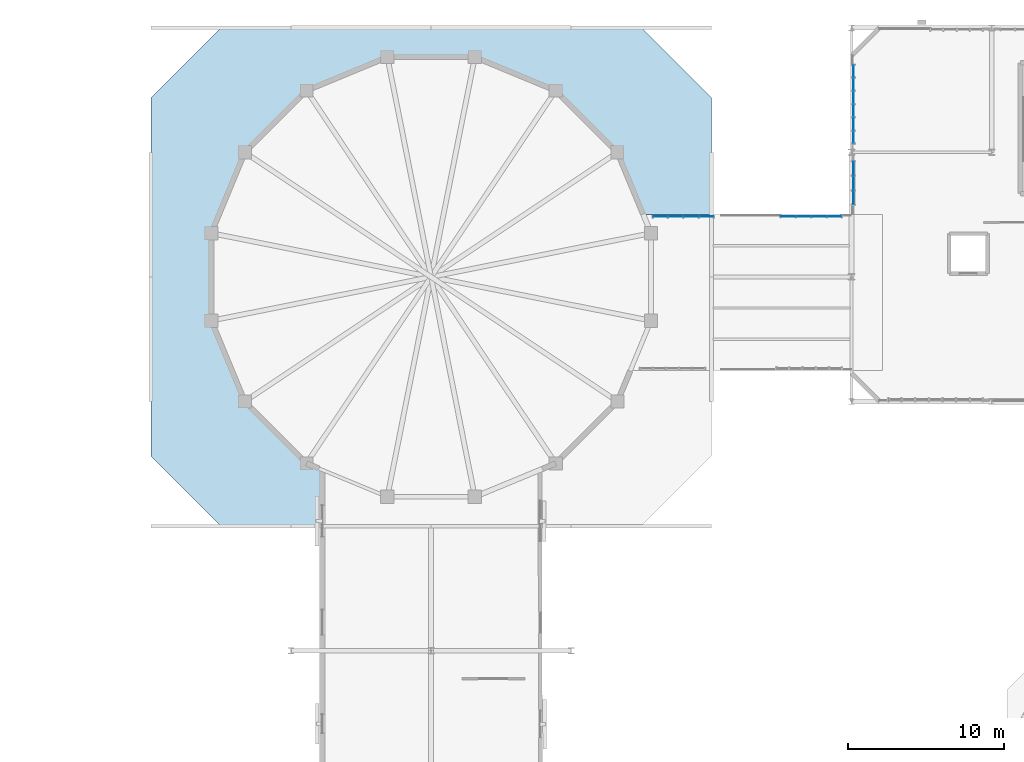
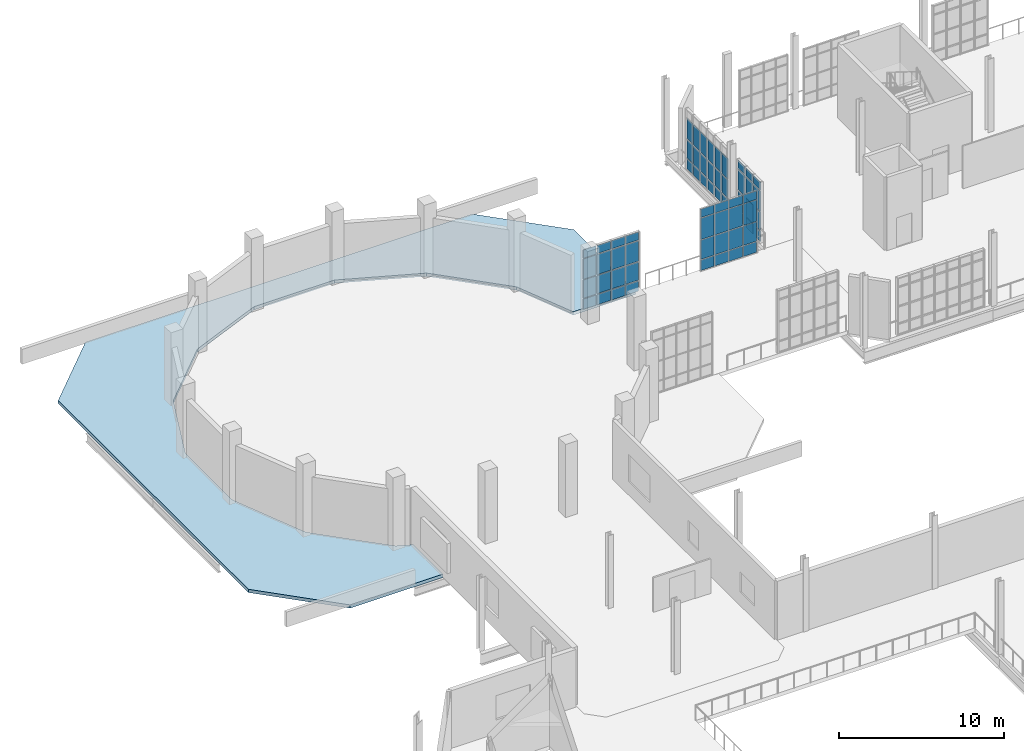
# One storey, part 112 of 142: 62 plates, 1 slab, 4 elements without a shape of their own.
"""IFC4 building model written with IfcOpenShell, lengths in metres."""

from ifc_helpers import new_model, si_unit, direction, frame, origin, origin_2d, place, context, subcontext, project, spatial, polyline, rectangle, outline, extrude, material, layer, layer_set, type_object, element, aggregate, save


model = new_model("IFC4")

# Units and contexts
model_context = context("Model", 3, precision=1e-05, world=origin(), true_north=direction((0.0, 1.0)))
body_context = subcontext(model_context, "Body", "Model", "MODEL_VIEW")
ifc_project = project(units=[si_unit("LENGTHUNIT", "METRE"), si_unit("AREAUNIT", "SQUARE_METRE"), si_unit("VOLUMEUNIT", "CUBIC_METRE"), si_unit("PLANEANGLEUNIT", "RADIAN"), si_unit("MASSUNIT", "GRAM", prefix="KILO"), si_unit("THERMODYNAMICTEMPERATUREUNIT", "KELVIN"), si_unit("POWERUNIT", "WATT")], contexts=[model_context])

# Site, building, storey
site_placement = place(None, origin())
site = spatial("IfcSite", under=ifc_project, at=site_placement, CompositionType="ELEMENT")
building_placement = place(site_placement, origin())
building = spatial("IfcBuilding", under=site, at=building_placement, Name="Zelmaris Science Centre", CompositionType="ELEMENT")
storey_placement = place(building_placement, frame((0.0, 0.0, 5.39990234375)))
storey = spatial("IfcBuildingStorey", under=building, at=storey_placement, Name="L01", CompositionType="ELEMENT", Elevation=5.39990234375)

# Curtain wall, plates
ifc_material_1 = material(Name="Anodised architectural aluminium 6063-T6", Category="aluminium")
ifc_layer_1 = layer(ifc_material_1, 0.18994140625, Name="Anodised architectural aluminium 6063-T6")
ifc_layer_set_1 = layer_set([ifc_layer_1], Name="Anodised architectural aluminium 6063-T6")
curtain_wall_type_1 = type_object("IfcCurtainWallType", Name="Curtain Wall CW-01", PredefinedType="USERDEFINED", material=ifc_layer_set_1)
curtain_wall_1_placement = place(storey_placement, origin())
curtain_wall_1 = element("IfcCurtainWall", 1, at=curtain_wall_1_placement, inside=storey, type_object=curtain_wall_type_1, Name="L01 Unitised curtain wall 129", ObjectType="GLAZED CURTAIN WALL", PredefinedType="USERDEFINED")
ifc_material_2 = material(Name="Laminated hurricane-rated low-E insulated glazing", Category="glass")
ifc_layer_2 = layer(ifc_material_2, 0.031982421875, Name="Laminated hurricane-rated low-E insulated glazing")
ifc_layer_set_2 = layer_set([ifc_layer_2], Name="Laminated hurricane-rated low-E insulated glazing")
plate_type_1 = type_object("IfcPlateType", Name="Curtain Glazing Panel CWP-1 32mm", PredefinedType="CURTAIN_PANEL", material=ifc_layer_set_2)
plate_1_placement = place(storey_placement, frame((54.1201171875, 77.0947265625, 0.05712890625), z_axis=(0.0, 0.0, 1.0), x_axis=(0.0, 1.0, 0.0)))
plate_1 = element("IfcPlate", 2, at=plate_1_placement, type_object=plate_type_1, Name="CW-01 panel 1.1", PredefinedType="CURTAIN_PANEL", context=body_context, shape_type="SweptSolid", body=[
    extrude(rectangle(XDim=0.84521484375, YDim=0.031982421875, at=origin_2d()), origin(), (0.0, 0.0, 1.0), 0.741943359375),
])
plate_2_placement = place(storey_placement, frame((54.1201171875, 77.0947265625, 0.87109375), z_axis=(0.0, 0.0, 1.0), x_axis=(0.0, 1.0, 0.0)))
plate_2 = element("IfcPlate", 3, at=plate_2_placement, type_object=plate_type_1, Name="CW-01 panel 1.2", PredefinedType="CURTAIN_PANEL", context=body_context, shape_type="SweptSolid", body=[
    extrude(rectangle(XDim=0.84521484375, YDim=0.031982421875, at=origin_2d()), origin(), (0.0, 0.0, 1.0), 1.33837890625),
])
plate_3_placement = place(storey_placement, frame((54.1201171875, 77.0947265625, 2.28173828125), z_axis=(0.0, 0.0, 1.0), x_axis=(0.0, 1.0, 0.0)))
plate_3 = element("IfcPlate", 4, at=plate_3_placement, type_object=plate_type_1, Name="CW-01 panel 1.3", PredefinedType="CURTAIN_PANEL", context=body_context, shape_type="SweptSolid", body=[
    extrude(rectangle(XDim=0.84521484375, YDim=0.031982421875, at=origin_2d()), origin(), (0.0, 0.0, 1.0), 1.488525390625),
])
plate_4_placement = place(storey_placement, frame((54.1201171875, 77.0947265625, 3.84228515625), z_axis=(0.0, 0.0, 1.0), x_axis=(0.0, 1.0, 0.0)))
plate_4 = element("IfcPlate", 5, at=plate_4_placement, type_object=plate_type_1, Name="CW-01 panel 1.4", PredefinedType="CURTAIN_PANEL", context=body_context, shape_type="SweptSolid", body=[
    extrude(rectangle(XDim=0.84521484375, YDim=0.031982421875, at=origin_2d()), origin(), (0.0, 0.0, 1.0), 0.592041015625),
])
plate_5_placement = place(storey_placement, frame((54.1201171875, 78.030029296875, 0.05712890625), z_axis=(0.0, 0.0, 1.0), x_axis=(0.0, 1.0, 0.0)))
plate_5 = element("IfcPlate", 6, at=plate_5_placement, type_object=plate_type_1, Name="CW-01 panel 2.1", PredefinedType="CURTAIN_PANEL", context=body_context, shape_type="SweptSolid", body=[
    extrude(rectangle(XDim=0.88134765625, YDim=0.031982421875, at=origin_2d()), origin(), (0.0, 0.0, 1.0), 0.741943359375),
])
plate_6_placement = place(storey_placement, frame((54.1201171875, 78.030029296875, 0.87109375), z_axis=(0.0, 0.0, 1.0), x_axis=(0.0, 1.0, 0.0)))
plate_6 = element("IfcPlate", 7, at=plate_6_placement, type_object=plate_type_1, Name="CW-01 panel 2.2", PredefinedType="CURTAIN_PANEL", context=body_context, shape_type="SweptSolid", body=[
    extrude(rectangle(XDim=0.88134765625, YDim=0.031982421875, at=origin_2d()), origin(), (0.0, 0.0, 1.0), 1.33837890625),
])
plate_7_placement = place(storey_placement, frame((54.1201171875, 78.030029296875, 2.28173828125), z_axis=(0.0, 0.0, 1.0), x_axis=(0.0, 1.0, 0.0)))
plate_7 = element("IfcPlate", 8, at=plate_7_placement, type_object=plate_type_1, Name="CW-01 panel 2.3", PredefinedType="CURTAIN_PANEL", context=body_context, shape_type="SweptSolid", body=[
    extrude(rectangle(XDim=0.88134765625, YDim=0.031982421875, at=origin_2d()), origin(), (0.0, 0.0, 1.0), 1.488525390625),
])
plate_8_placement = place(storey_placement, frame((54.1201171875, 78.030029296875, 3.84228515625), z_axis=(0.0, 0.0, 1.0), x_axis=(0.0, 1.0, 0.0)))
plate_8 = element("IfcPlate", 9, at=plate_8_placement, type_object=plate_type_1, Name="CW-01 panel 2.4", PredefinedType="CURTAIN_PANEL", context=body_context, shape_type="SweptSolid", body=[
    extrude(rectangle(XDim=0.88134765625, YDim=0.031982421875, at=origin_2d()), origin(), (0.0, 0.0, 1.0), 0.592041015625),
])
plate_9_placement = place(storey_placement, frame((54.1201171875, 78.96533203125, 0.05712890625), z_axis=(0.0, 0.0, 1.0), x_axis=(0.0, 1.0, 0.0)))
plate_9 = element("IfcPlate", 10, at=plate_9_placement, type_object=plate_type_1, Name="CW-01 panel 3.1", PredefinedType="CURTAIN_PANEL", context=body_context, shape_type="SweptSolid", body=[
    extrude(rectangle(XDim=0.84521484375, YDim=0.031982421875, at=origin_2d()), origin(), (0.0, 0.0, 1.0), 0.741943359375),
])
plate_10_placement = place(storey_placement, frame((54.1201171875, 78.96533203125, 0.87109375), z_axis=(0.0, 0.0, 1.0), x_axis=(0.0, 1.0, 0.0)))
plate_10 = element("IfcPlate", 11, at=plate_10_placement, type_object=plate_type_1, Name="CW-01 panel 3.2", PredefinedType="CURTAIN_PANEL", context=body_context, shape_type="SweptSolid", body=[
    extrude(rectangle(XDim=0.84521484375, YDim=0.031982421875, at=origin_2d()), origin(), (0.0, 0.0, 1.0), 1.33837890625),
])
plate_11_placement = place(storey_placement, frame((54.1201171875, 78.96533203125, 2.28173828125), z_axis=(0.0, 0.0, 1.0), x_axis=(0.0, 1.0, 0.0)))
plate_11 = element("IfcPlate", 12, at=plate_11_placement, type_object=plate_type_1, Name="CW-01 panel 3.3", PredefinedType="CURTAIN_PANEL", context=body_context, shape_type="SweptSolid", body=[
    extrude(rectangle(XDim=0.84521484375, YDim=0.031982421875, at=origin_2d()), origin(), (0.0, 0.0, 1.0), 1.488525390625),
])
plate_12_placement = place(storey_placement, frame((54.1201171875, 78.96533203125, 3.84228515625), z_axis=(0.0, 0.0, 1.0), x_axis=(0.0, 1.0, 0.0)))
plate_12 = element("IfcPlate", 13, at=plate_12_placement, type_object=plate_type_1, Name="CW-01 panel 3.4", PredefinedType="CURTAIN_PANEL", context=body_context, shape_type="SweptSolid", body=[
    extrude(rectangle(XDim=0.84521484375, YDim=0.031982421875, at=origin_2d()), origin(), (0.0, 0.0, 1.0), 0.592041015625),
])
aggregate(curtain_wall_1, [plate_1, plate_2, plate_3, plate_4, plate_5, plate_6, plate_7, plate_8, plate_9, plate_10, plate_11, plate_12])

ifc_layer_3 = layer(ifc_material_1, 0.199951171875, Name="Anodised architectural aluminium 6063-T6")
ifc_layer_set_3 = layer_set([ifc_layer_3], Name="Anodised architectural aluminium 6063-T6")
curtain_wall_type_2 = type_object("IfcCurtainWallType", Name="Curtain Wall CW-02", PredefinedType="USERDEFINED", material=ifc_layer_set_3)
curtain_wall_2_placement = place(storey_placement, origin())
curtain_wall_2 = element("IfcCurtainWall", 14, at=curtain_wall_2_placement, inside=storey, type_object=curtain_wall_type_2, Name="L01 Unitised curtain wall 126", ObjectType="GLAZED CURTAIN WALL", PredefinedType="USERDEFINED")
ifc_layer_4 = layer(ifc_material_2, 0.028076171875, Name="Laminated hurricane-rated low-E insulated glazing")
ifc_layer_set_4 = layer_set([ifc_layer_4], Name="Laminated hurricane-rated low-E insulated glazing")
plate_type_2 = type_object("IfcPlateType", Name="Curtain Glazing Panel CWP-2 28mm", PredefinedType="CURTAIN_PANEL", material=ifc_layer_set_4)
plate_13_placement = place(storey_placement, frame((41.708251953125, 75.88232421875, 0.052001953125), z_axis=(0.0, 0.0, 1.0), x_axis=(0.99999997989, -0.000200551507, 0.0)))
plate_13 = element("IfcPlate", 15, at=plate_13_placement, type_object=plate_type_2, Name="CW-02 panel 1.1", PredefinedType="CURTAIN_PANEL", context=body_context, shape_type="SweptSolid", body=[
    extrude(rectangle(XDim=0.896728515625, YDim=0.028076171875, at=origin_2d()), origin(), (0.0, 0.0, 1.0), 0.74951171875),
])
plate_14_placement = place(storey_placement, frame((41.708251953125, 75.88232421875, 0.86865234375), z_axis=(0.0, 0.0, 1.0), x_axis=(0.99999997989, -0.000200551507, 0.0)))
plate_14 = element("IfcPlate", 16, at=plate_14_placement, type_object=plate_type_2, Name="CW-02 panel 1.2", PredefinedType="CURTAIN_PANEL", context=body_context, shape_type="SweptSolid", body=[
    extrude(rectangle(XDim=0.896728515625, YDim=0.028076171875, at=origin_2d()), origin(), (0.0, 0.0, 1.0), 1.3369140625),
])
plate_15_placement = place(storey_placement, frame((41.708251953125, 75.88232421875, 2.2724609375), z_axis=(0.0, 0.0, 1.0), x_axis=(0.99999997989, -0.000200551507, 0.0)))
plate_15 = element("IfcPlate", 17, at=plate_15_placement, type_object=plate_type_2, Name="CW-02 panel 1.3", PredefinedType="CURTAIN_PANEL", context=body_context, shape_type="SweptSolid", body=[
    extrude(rectangle(XDim=0.896728515625, YDim=0.028076171875, at=origin_2d()), origin(), (0.0, 0.0, 1.0), 1.487060546875),
])
plate_16_placement = place(storey_placement, frame((41.708251953125, 75.88232421875, 3.82666015625), z_axis=(0.0, 0.0, 1.0), x_axis=(0.99999997989, -0.000200551507, 0.0)))
plate_16 = element("IfcPlate", 18, at=plate_16_placement, type_object=plate_type_2, Name="CW-02 panel 1.4", PredefinedType="CURTAIN_PANEL", context=body_context, shape_type="SweptSolid", body=[
    extrude(rectangle(XDim=0.896728515625, YDim=0.028076171875, at=origin_2d()), origin(), (0.0, 0.0, 1.0), 0.599609375),
])
plate_17_placement = place(storey_placement, frame((42.688720703125, 75.882080078125, 0.052001953125), z_axis=(0.0, 0.0, 1.0), x_axis=(0.99999997989, -0.000200551507, 0.0)))
plate_17 = element("IfcPlate", 19, at=plate_17_placement, type_object=plate_type_2, Name="CW-02 panel 2.1", PredefinedType="CURTAIN_PANEL", context=body_context, shape_type="SweptSolid", body=[
    extrude(rectangle(XDim=0.93017578125, YDim=0.028076171875, at=origin_2d()), origin(), (0.0, 0.0, 1.0), 0.74951171875),
])
plate_18_placement = place(storey_placement, frame((42.688720703125, 75.882080078125, 0.86865234375), z_axis=(0.0, 0.0, 1.0), x_axis=(0.99999997989, -0.000200551507, 0.0)))
plate_18 = element("IfcPlate", 20, at=plate_18_placement, type_object=plate_type_2, Name="CW-02 panel 2.2", PredefinedType="CURTAIN_PANEL", context=body_context, shape_type="SweptSolid", body=[
    extrude(rectangle(XDim=0.93017578125, YDim=0.028076171875, at=origin_2d()), origin(), (0.0, 0.0, 1.0), 1.3369140625),
])
plate_19_placement = place(storey_placement, frame((42.688720703125, 75.882080078125, 2.2724609375), z_axis=(0.0, 0.0, 1.0), x_axis=(0.99999997989, -0.000200551507, 0.0)))
plate_19 = element("IfcPlate", 21, at=plate_19_placement, type_object=plate_type_2, Name="CW-02 panel 2.3", PredefinedType="CURTAIN_PANEL", context=body_context, shape_type="SweptSolid", body=[
    extrude(rectangle(XDim=0.93017578125, YDim=0.028076171875, at=origin_2d()), origin(), (0.0, 0.0, 1.0), 1.487060546875),
])
plate_20_placement = place(storey_placement, frame((42.688720703125, 75.882080078125, 3.82666015625), z_axis=(0.0, 0.0, 1.0), x_axis=(0.99999997989, -0.000200551507, 0.0)))
plate_20 = element("IfcPlate", 22, at=plate_20_placement, type_object=plate_type_2, Name="CW-02 panel 2.4", PredefinedType="CURTAIN_PANEL", context=body_context, shape_type="SweptSolid", body=[
    extrude(rectangle(XDim=0.93017578125, YDim=0.028076171875, at=origin_2d()), origin(), (0.0, 0.0, 1.0), 0.599609375),
])
plate_21_placement = place(storey_placement, frame((43.68603515625, 75.882080078125, 0.052001953125), z_axis=(0.0, 0.0, 1.0), x_axis=(0.99999997989, -0.000200551507, 0.0)))
plate_21 = element("IfcPlate", 23, at=plate_21_placement, type_object=plate_type_2, Name="CW-02 panel 3.1", PredefinedType="CURTAIN_PANEL", context=body_context, shape_type="SweptSolid", body=[
    extrude(rectangle(XDim=0.93017578125, YDim=0.028076171875, at=origin_2d()), origin(), (0.0, 0.0, 1.0), 0.74951171875),
])
plate_22_placement = place(storey_placement, frame((43.68603515625, 75.882080078125, 0.86865234375), z_axis=(0.0, 0.0, 1.0), x_axis=(0.99999997989, -0.000200551507, 0.0)))
plate_22 = element("IfcPlate", 24, at=plate_22_placement, type_object=plate_type_2, Name="CW-02 panel 3.2", PredefinedType="CURTAIN_PANEL", context=body_context, shape_type="SweptSolid", body=[
    extrude(rectangle(XDim=0.93017578125, YDim=0.028076171875, at=origin_2d()), origin(), (0.0, 0.0, 1.0), 1.3369140625),
])
plate_23_placement = place(storey_placement, frame((43.68603515625, 75.882080078125, 2.2724609375), z_axis=(0.0, 0.0, 1.0), x_axis=(0.99999997989, -0.000200551507, 0.0)))
plate_23 = element("IfcPlate", 25, at=plate_23_placement, type_object=plate_type_2, Name="CW-02 panel 3.3", PredefinedType="CURTAIN_PANEL", context=body_context, shape_type="SweptSolid", body=[
    extrude(rectangle(XDim=0.93017578125, YDim=0.028076171875, at=origin_2d()), origin(), (0.0, 0.0, 1.0), 1.487060546875),
])
plate_24_placement = place(storey_placement, frame((43.68603515625, 75.882080078125, 3.82666015625), z_axis=(0.0, 0.0, 1.0), x_axis=(0.99999997989, -0.000200551507, 0.0)))
plate_24 = element("IfcPlate", 26, at=plate_24_placement, type_object=plate_type_2, Name="CW-02 panel 3.4", PredefinedType="CURTAIN_PANEL", context=body_context, shape_type="SweptSolid", body=[
    extrude(rectangle(XDim=0.93017578125, YDim=0.028076171875, at=origin_2d()), origin(), (0.0, 0.0, 1.0), 0.599609375),
])
plate_25_placement = place(storey_placement, frame((44.66650390625, 75.8818359375, 0.052001953125), z_axis=(0.0, 0.0, 1.0), x_axis=(0.99999997989, -0.000200551507, 0.0)))
plate_25 = element("IfcPlate", 27, at=plate_25_placement, type_object=plate_type_2, Name="CW-02 panel 4.1", PredefinedType="CURTAIN_PANEL", context=body_context, shape_type="SweptSolid", body=[
    extrude(rectangle(XDim=0.896728515625, YDim=0.028076171875, at=origin_2d()), origin(), (0.0, 0.0, 1.0), 0.74951171875),
])
plate_26_placement = place(storey_placement, frame((44.66650390625, 75.8818359375, 0.86865234375), z_axis=(0.0, 0.0, 1.0), x_axis=(0.99999997989, -0.000200551507, 0.0)))
plate_26 = element("IfcPlate", 28, at=plate_26_placement, type_object=plate_type_2, Name="CW-02 panel 4.2", PredefinedType="CURTAIN_PANEL", context=body_context, shape_type="SweptSolid", body=[
    extrude(rectangle(XDim=0.896728515625, YDim=0.028076171875, at=origin_2d()), origin(), (0.0, 0.0, 1.0), 1.3369140625),
])
plate_27_placement = place(storey_placement, frame((44.66650390625, 75.8818359375, 2.2724609375), z_axis=(0.0, 0.0, 1.0), x_axis=(0.99999997989, -0.000200551507, 0.0)))
plate_27 = element("IfcPlate", 29, at=plate_27_placement, type_object=plate_type_2, Name="CW-02 panel 4.3", PredefinedType="CURTAIN_PANEL", context=body_context, shape_type="SweptSolid", body=[
    extrude(rectangle(XDim=0.896728515625, YDim=0.028076171875, at=origin_2d()), origin(), (0.0, 0.0, 1.0), 1.487060546875),
])
plate_28_placement = place(storey_placement, frame((44.66650390625, 75.8818359375, 3.82666015625), z_axis=(0.0, 0.0, 1.0), x_axis=(0.99999997989, -0.000200551507, 0.0)))
plate_28 = element("IfcPlate", 30, at=plate_28_placement, type_object=plate_type_2, Name="CW-02 panel 4.4", PredefinedType="CURTAIN_PANEL", context=body_context, shape_type="SweptSolid", body=[
    extrude(rectangle(XDim=0.896728515625, YDim=0.028076171875, at=origin_2d()), origin(), (0.0, 0.0, 1.0), 0.599609375),
])
aggregate(curtain_wall_2, [plate_13, plate_14, plate_15, plate_16, plate_17, plate_18, plate_19, plate_20, plate_21, plate_22, plate_23, plate_24, plate_25, plate_26, plate_27, plate_28])

curtain_wall_3_placement = place(storey_placement, origin())
curtain_wall_3 = element("IfcCurtainWall", 31, at=curtain_wall_3_placement, inside=storey, type_object=curtain_wall_type_2, Name="L01 Unitised curtain wall 130", ObjectType="GLAZED CURTAIN WALL", PredefinedType="USERDEFINED")
plate_29_placement = place(storey_placement, frame((54.1201171875, 80.9833984375, 0.052001953125), z_axis=(0.0, 0.0, 1.0), x_axis=(1.9531247e-05, 0.999999999809, 0.0)))
plate_29 = element("IfcPlate", 32, at=plate_29_placement, type_object=plate_type_2, Name="CW-02 panel 1.1", PredefinedType="CURTAIN_PANEL", context=body_context, shape_type="SweptSolid", body=[
    extrude(rectangle(XDim=0.7529296875, YDim=0.028076171875, at=origin_2d()), origin(), (0.0, 0.0, 1.0), 0.74951171875),
])
plate_30_placement = place(storey_placement, frame((54.1201171875, 80.9833984375, 0.86865234375), z_axis=(0.0, 0.0, 1.0), x_axis=(1.9531247e-05, 0.999999999809, 0.0)))
plate_30 = element("IfcPlate", 33, at=plate_30_placement, type_object=plate_type_2, Name="CW-02 panel 1.2", PredefinedType="CURTAIN_PANEL", context=body_context, shape_type="SweptSolid", body=[
    extrude(rectangle(XDim=0.7529296875, YDim=0.028076171875, at=origin_2d()), origin(), (0.0, 0.0, 1.0), 1.343505859375),
])
plate_31_placement = place(storey_placement, frame((54.1201171875, 80.9833984375, 2.279296875), z_axis=(0.0, 0.0, 1.0), x_axis=(1.9531247e-05, 0.999999999809, 0.0)))
plate_31 = element("IfcPlate", 34, at=plate_31_placement, type_object=plate_type_2, Name="CW-02 panel 1.3", PredefinedType="CURTAIN_PANEL", context=body_context, shape_type="SweptSolid", body=[
    extrude(rectangle(XDim=0.7529296875, YDim=0.028076171875, at=origin_2d()), origin(), (0.0, 0.0, 1.0), 1.493408203125),
])
plate_32_placement = place(storey_placement, frame((54.1201171875, 81.820068359375, 0.052001953125), z_axis=(0.0, 0.0, 1.0), x_axis=(1.9531247e-05, 0.999999999809, 0.0)))
plate_32 = element("IfcPlate", 35, at=plate_32_placement, type_object=plate_type_2, Name="CW-02 panel 2.1", PredefinedType="CURTAIN_PANEL", context=body_context, shape_type="SweptSolid", body=[
    extrude(rectangle(XDim=0.786376953125, YDim=0.028076171875, at=origin_2d()), origin(), (0.0, 0.0, 1.0), 0.74951171875),
])
plate_33_placement = place(storey_placement, frame((54.1201171875, 81.820068359375, 0.86865234375), z_axis=(0.0, 0.0, 1.0), x_axis=(1.9531247e-05, 0.999999999809, 0.0)))
plate_33 = element("IfcPlate", 36, at=plate_33_placement, type_object=plate_type_2, Name="CW-02 panel 2.2", PredefinedType="CURTAIN_PANEL", context=body_context, shape_type="SweptSolid", body=[
    extrude(rectangle(XDim=0.786376953125, YDim=0.028076171875, at=origin_2d()), origin(), (0.0, 0.0, 1.0), 1.343505859375),
])
plate_34_placement = place(storey_placement, frame((54.1201171875, 81.820068359375, 2.279296875), z_axis=(0.0, 0.0, 1.0), x_axis=(1.9531247e-05, 0.999999999809, 0.0)))
plate_34 = element("IfcPlate", 37, at=plate_34_placement, type_object=plate_type_2, Name="CW-02 panel 2.3", PredefinedType="CURTAIN_PANEL", context=body_context, shape_type="SweptSolid", body=[
    extrude(rectangle(XDim=0.786376953125, YDim=0.028076171875, at=origin_2d()), origin(), (0.0, 0.0, 1.0), 1.493408203125),
])
plate_35_placement = place(storey_placement, frame((54.1201171875, 82.67333984375, 0.052001953125), z_axis=(0.0, 0.0, 1.0), x_axis=(1.9531247e-05, 0.999999999809, 0.0)))
plate_35 = element("IfcPlate", 38, at=plate_35_placement, type_object=plate_type_2, Name="CW-02 panel 3.1", PredefinedType="CURTAIN_PANEL", context=body_context, shape_type="SweptSolid", body=[
    extrude(rectangle(XDim=0.786376953125, YDim=0.028076171875, at=origin_2d()), origin(), (0.0, 0.0, 1.0), 0.74951171875),
])
plate_36_placement = place(storey_placement, frame((54.1201171875, 82.67333984375, 0.86865234375), z_axis=(0.0, 0.0, 1.0), x_axis=(1.9531247e-05, 0.999999999809, 0.0)))
plate_36 = element("IfcPlate", 39, at=plate_36_placement, type_object=plate_type_2, Name="CW-02 panel 3.2", PredefinedType="CURTAIN_PANEL", context=body_context, shape_type="SweptSolid", body=[
    extrude(rectangle(XDim=0.786376953125, YDim=0.028076171875, at=origin_2d()), origin(), (0.0, 0.0, 1.0), 1.343505859375),
])
plate_37_placement = place(storey_placement, frame((54.1201171875, 82.67333984375, 2.279296875), z_axis=(0.0, 0.0, 1.0), x_axis=(1.9531247e-05, 0.999999999809, 0.0)))
plate_37 = element("IfcPlate", 40, at=plate_37_placement, type_object=plate_type_2, Name="CW-02 panel 3.3", PredefinedType="CURTAIN_PANEL", context=body_context, shape_type="SweptSolid", body=[
    extrude(rectangle(XDim=0.786376953125, YDim=0.028076171875, at=origin_2d()), origin(), (0.0, 0.0, 1.0), 1.493408203125),
])
plate_38_placement = place(storey_placement, frame((54.1201171875, 83.526611328125, 0.052001953125), z_axis=(0.0, 0.0, 1.0), x_axis=(1.9531247e-05, 0.999999999809, 0.0)))
plate_38 = element("IfcPlate", 41, at=plate_38_placement, type_object=plate_type_2, Name="CW-02 panel 4.1", PredefinedType="CURTAIN_PANEL", context=body_context, shape_type="SweptSolid", body=[
    extrude(rectangle(XDim=0.786376953125, YDim=0.028076171875, at=origin_2d()), origin(), (0.0, 0.0, 1.0), 0.74951171875),
])
plate_39_placement = place(storey_placement, frame((54.1201171875, 83.526611328125, 0.86865234375), z_axis=(0.0, 0.0, 1.0), x_axis=(1.9531247e-05, 0.999999999809, 0.0)))
plate_39 = element("IfcPlate", 42, at=plate_39_placement, type_object=plate_type_2, Name="CW-02 panel 4.2", PredefinedType="CURTAIN_PANEL", context=body_context, shape_type="SweptSolid", body=[
    extrude(rectangle(XDim=0.786376953125, YDim=0.028076171875, at=origin_2d()), origin(), (0.0, 0.0, 1.0), 1.343505859375),
])
plate_40_placement = place(storey_placement, frame((54.1201171875, 83.526611328125, 2.279296875), z_axis=(0.0, 0.0, 1.0), x_axis=(1.9531247e-05, 0.999999999809, 0.0)))
plate_40 = element("IfcPlate", 43, at=plate_40_placement, type_object=plate_type_2, Name="CW-02 panel 4.3", PredefinedType="CURTAIN_PANEL", context=body_context, shape_type="SweptSolid", body=[
    extrude(rectangle(XDim=0.786376953125, YDim=0.028076171875, at=origin_2d()), origin(), (0.0, 0.0, 1.0), 1.493408203125),
])
plate_41_placement = place(storey_placement, frame((54.1201171875, 84.3798828125, 0.052001953125), z_axis=(0.0, 0.0, 1.0), x_axis=(1.9531247e-05, 0.999999999809, 0.0)))
plate_41 = element("IfcPlate", 44, at=plate_41_placement, type_object=plate_type_2, Name="CW-02 panel 5.1", PredefinedType="CURTAIN_PANEL", context=body_context, shape_type="SweptSolid", body=[
    extrude(rectangle(XDim=0.786376953125, YDim=0.028076171875, at=origin_2d()), origin(), (0.0, 0.0, 1.0), 0.74951171875),
])
plate_42_placement = place(storey_placement, frame((54.1201171875, 84.3798828125, 0.86865234375), z_axis=(0.0, 0.0, 1.0), x_axis=(1.9531247e-05, 0.999999999809, 0.0)))
plate_42 = element("IfcPlate", 45, at=plate_42_placement, type_object=plate_type_2, Name="CW-02 panel 5.2", PredefinedType="CURTAIN_PANEL", context=body_context, shape_type="SweptSolid", body=[
    extrude(rectangle(XDim=0.786376953125, YDim=0.028076171875, at=origin_2d()), origin(), (0.0, 0.0, 1.0), 1.343505859375),
])
plate_43_placement = place(storey_placement, frame((54.1201171875, 84.3798828125, 2.279296875), z_axis=(0.0, 0.0, 1.0), x_axis=(1.9531247e-05, 0.999999999809, 0.0)))
plate_43 = element("IfcPlate", 46, at=plate_43_placement, type_object=plate_type_2, Name="CW-02 panel 5.3", PredefinedType="CURTAIN_PANEL", context=body_context, shape_type="SweptSolid", body=[
    extrude(rectangle(XDim=0.786376953125, YDim=0.028076171875, at=origin_2d()), origin(), (0.0, 0.0, 1.0), 1.493408203125),
])
plate_44_placement = place(storey_placement, frame((54.1201171875, 85.216552734375, 0.052001953125), z_axis=(0.0, 0.0, 1.0), x_axis=(1.9531247e-05, 0.999999999809, 0.0)))
plate_44 = element("IfcPlate", 47, at=plate_44_placement, type_object=plate_type_2, Name="CW-02 panel 6.1", PredefinedType="CURTAIN_PANEL", context=body_context, shape_type="SweptSolid", body=[
    extrude(rectangle(XDim=0.7529296875, YDim=0.028076171875, at=origin_2d()), origin(), (0.0, 0.0, 1.0), 0.74951171875),
])
plate_45_placement = place(storey_placement, frame((54.1201171875, 85.216552734375, 0.86865234375), z_axis=(0.0, 0.0, 1.0), x_axis=(1.9531247e-05, 0.999999999809, 0.0)))
plate_45 = element("IfcPlate", 48, at=plate_45_placement, type_object=plate_type_2, Name="CW-02 panel 6.2", PredefinedType="CURTAIN_PANEL", context=body_context, shape_type="SweptSolid", body=[
    extrude(rectangle(XDim=0.7529296875, YDim=0.028076171875, at=origin_2d()), origin(), (0.0, 0.0, 1.0), 1.343505859375),
])
plate_46_placement = place(storey_placement, frame((54.1201171875, 85.216552734375, 2.279296875), z_axis=(0.0, 0.0, 1.0), x_axis=(1.9531247e-05, 0.999999999809, 0.0)))
plate_46 = element("IfcPlate", 49, at=plate_46_placement, type_object=plate_type_2, Name="CW-02 panel 6.3", PredefinedType="CURTAIN_PANEL", context=body_context, shape_type="SweptSolid", body=[
    extrude(rectangle(XDim=0.7529296875, YDim=0.028076171875, at=origin_2d()), origin(), (0.0, 0.0, 1.0), 1.493408203125),
])
aggregate(curtain_wall_3, [plate_29, plate_30, plate_31, plate_32, plate_33, plate_34, plate_35, plate_36, plate_37, plate_38, plate_39, plate_40, plate_41, plate_42, plate_43, plate_44, plate_45, plate_46])

ifc_layer_5 = layer(ifc_material_1, 0.219970703125, Name="Anodised architectural aluminium 6063-T6")
ifc_layer_set_5 = layer_set([ifc_layer_5], Name="Anodised architectural aluminium 6063-T6")
curtain_wall_type_3 = type_object("IfcCurtainWallType", Name="Curtain Wall CW-04", PredefinedType="USERDEFINED", material=ifc_layer_set_5)
curtain_wall_4_placement = place(storey_placement, origin())
curtain_wall_4 = element("IfcCurtainWall", 50, at=curtain_wall_4_placement, inside=storey, type_object=curtain_wall_type_3, Name="L01 Unitised curtain wall 128", ObjectType="GLAZED CURTAIN WALL", PredefinedType="USERDEFINED")
ifc_layer_6 = layer(ifc_material_2, 0.02392578125, Name="Laminated hurricane-rated low-E insulated glazing")
ifc_layer_set_6 = layer_set([ifc_layer_6], Name="Laminated hurricane-rated low-E insulated glazing")
plate_type_3 = type_object("IfcPlateType", Name="Curtain Glazing Panel CWP-4 24mm", PredefinedType="CURTAIN_PANEL", material=ifc_layer_set_6)
plate_47_placement = place(storey_placement, frame((49.922607421875, 75.880859375, 0.037109375), z_axis=(0.0, 0.0, 1.0), x_axis=(0.999999979891, -0.00020054648, 0.0)))
plate_47 = element("IfcPlate", 51, at=plate_47_placement, type_object=plate_type_3, Name="CW-04 panel 1.1", PredefinedType="CURTAIN_PANEL", context=body_context, shape_type="SweptSolid", body=[
    extrude(rectangle(XDim=0.919189453125, YDim=0.02392578125, at=origin_2d()), origin(), (0.0, 0.0, 1.0), 0.77197265625),
])
plate_48_placement = place(storey_placement, frame((49.922607421875, 75.880859375, 0.861083984375), z_axis=(0.0, 0.0, 1.0), x_axis=(0.999999979891, -0.00020054648, 0.0)))
plate_48 = element("IfcPlate", 52, at=plate_48_placement, type_object=plate_type_3, Name="CW-04 panel 1.2", PredefinedType="CURTAIN_PANEL", context=body_context, shape_type="SweptSolid", body=[
    extrude(rectangle(XDim=0.919189453125, YDim=0.02392578125, at=origin_2d()), origin(), (0.0, 0.0, 1.0), 1.41552734375),
])
plate_49_placement = place(storey_placement, frame((49.922607421875, 75.880859375, 2.32861328125), z_axis=(0.0, 0.0, 1.0), x_axis=(0.999999979891, -0.00020054648, 0.0)))
plate_49 = element("IfcPlate", 53, at=plate_49_placement, type_object=plate_type_3, Name="CW-04 panel 1.3", PredefinedType="CURTAIN_PANEL", context=body_context, shape_type="SweptSolid", body=[
    extrude(rectangle(XDim=0.919189453125, YDim=0.02392578125, at=origin_2d()), origin(), (0.0, 0.0, 1.0), 1.5654296875),
])
plate_50_placement = place(storey_placement, frame((49.922607421875, 75.880859375, 3.946044921875), z_axis=(0.0, 0.0, 1.0), x_axis=(0.999999979891, -0.00020054648, 0.0)))
plate_50 = element("IfcPlate", 54, at=plate_50_placement, type_object=plate_type_3, Name="CW-04 panel 1.4", PredefinedType="CURTAIN_PANEL", context=body_context, shape_type="SweptSolid", body=[
    extrude(rectangle(XDim=0.919189453125, YDim=0.02392578125, at=origin_2d()), origin(), (0.0, 0.0, 1.0), 0.6220703125),
])
plate_51_placement = place(storey_placement, frame((50.90673828125, 75.880615234375, 0.037109375), z_axis=(0.0, 0.0, 1.0), x_axis=(0.999999979891, -0.00020054648, 0.0)))
plate_51 = element("IfcPlate", 55, at=plate_51_placement, type_object=plate_type_3, Name="CW-04 panel 2.1", PredefinedType="CURTAIN_PANEL", context=body_context, shape_type="SweptSolid", body=[
    extrude(rectangle(XDim=0.9453125, YDim=0.02392578125, at=origin_2d()), origin(), (0.0, 0.0, 1.0), 0.77197265625),
])
plate_52_placement = place(storey_placement, frame((50.90673828125, 75.880615234375, 0.861083984375), z_axis=(0.0, 0.0, 1.0), x_axis=(0.999999979891, -0.00020054648, 0.0)))
plate_52 = element("IfcPlate", 56, at=plate_52_placement, type_object=plate_type_3, Name="CW-04 panel 2.2", PredefinedType="CURTAIN_PANEL", context=body_context, shape_type="SweptSolid", body=[
    extrude(rectangle(XDim=0.9453125, YDim=0.02392578125, at=origin_2d()), origin(), (0.0, 0.0, 1.0), 1.41552734375),
])
plate_53_placement = place(storey_placement, frame((50.90673828125, 75.880615234375, 2.32861328125), z_axis=(0.0, 0.0, 1.0), x_axis=(0.999999979891, -0.00020054648, 0.0)))
plate_53 = element("IfcPlate", 57, at=plate_53_placement, type_object=plate_type_3, Name="CW-04 panel 2.3", PredefinedType="CURTAIN_PANEL", context=body_context, shape_type="SweptSolid", body=[
    extrude(rectangle(XDim=0.9453125, YDim=0.02392578125, at=origin_2d()), origin(), (0.0, 0.0, 1.0), 1.5654296875),
])
plate_54_placement = place(storey_placement, frame((50.90673828125, 75.880615234375, 3.946044921875), z_axis=(0.0, 0.0, 1.0), x_axis=(0.999999979891, -0.00020054648, 0.0)))
plate_54 = element("IfcPlate", 58, at=plate_54_placement, type_object=plate_type_3, Name="CW-04 panel 2.4", PredefinedType="CURTAIN_PANEL", context=body_context, shape_type="SweptSolid", body=[
    extrude(rectangle(XDim=0.9453125, YDim=0.02392578125, at=origin_2d()), origin(), (0.0, 0.0, 1.0), 0.6220703125),
])
plate_55_placement = place(storey_placement, frame((51.904052734375, 75.88037109375, 0.037109375), z_axis=(0.0, 0.0, 1.0), x_axis=(0.999999979891, -0.00020054648, 0.0)))
plate_55 = element("IfcPlate", 59, at=plate_55_placement, type_object=plate_type_3, Name="CW-04 panel 3.1", PredefinedType="CURTAIN_PANEL", context=body_context, shape_type="SweptSolid", body=[
    extrude(rectangle(XDim=0.9453125, YDim=0.02392578125, at=origin_2d()), origin(), (0.0, 0.0, 1.0), 0.77197265625),
])
plate_56_placement = place(storey_placement, frame((51.904052734375, 75.88037109375, 0.861083984375), z_axis=(0.0, 0.0, 1.0), x_axis=(0.999999979891, -0.00020054648, 0.0)))
plate_56 = element("IfcPlate", 60, at=plate_56_placement, type_object=plate_type_3, Name="CW-04 panel 3.2", PredefinedType="CURTAIN_PANEL", context=body_context, shape_type="SweptSolid", body=[
    extrude(rectangle(XDim=0.9453125, YDim=0.02392578125, at=origin_2d()), origin(), (0.0, 0.0, 1.0), 1.41552734375),
])
plate_57_placement = place(storey_placement, frame((51.904052734375, 75.88037109375, 2.32861328125), z_axis=(0.0, 0.0, 1.0), x_axis=(0.999999979891, -0.00020054648, 0.0)))
plate_57 = element("IfcPlate", 61, at=plate_57_placement, type_object=plate_type_3, Name="CW-04 panel 3.3", PredefinedType="CURTAIN_PANEL", context=body_context, shape_type="SweptSolid", body=[
    extrude(rectangle(XDim=0.9453125, YDim=0.02392578125, at=origin_2d()), origin(), (0.0, 0.0, 1.0), 1.5654296875),
])
plate_58_placement = place(storey_placement, frame((51.904052734375, 75.88037109375, 3.946044921875), z_axis=(0.0, 0.0, 1.0), x_axis=(0.999999979891, -0.00020054648, 0.0)))
plate_58 = element("IfcPlate", 62, at=plate_58_placement, type_object=plate_type_3, Name="CW-04 panel 3.4", PredefinedType="CURTAIN_PANEL", context=body_context, shape_type="SweptSolid", body=[
    extrude(rectangle(XDim=0.9453125, YDim=0.02392578125, at=origin_2d()), origin(), (0.0, 0.0, 1.0), 0.6220703125),
])
plate_59_placement = place(storey_placement, frame((52.888427734375, 75.880126953125, 0.037109375), z_axis=(0.0, 0.0, 1.0), x_axis=(0.999999979891, -0.00020054648, 0.0)))
plate_59 = element("IfcPlate", 63, at=plate_59_placement, type_object=plate_type_3, Name="CW-04 panel 4.1", PredefinedType="CURTAIN_PANEL", context=body_context, shape_type="SweptSolid", body=[
    extrude(rectangle(XDim=0.919189453125, YDim=0.02392578125, at=origin_2d()), origin(), (0.0, 0.0, 1.0), 0.77197265625),
])
plate_60_placement = place(storey_placement, frame((52.888427734375, 75.880126953125, 0.861083984375), z_axis=(0.0, 0.0, 1.0), x_axis=(0.999999979891, -0.00020054648, 0.0)))
plate_60 = element("IfcPlate", 64, at=plate_60_placement, type_object=plate_type_3, Name="CW-04 panel 4.2", PredefinedType="CURTAIN_PANEL", context=body_context, shape_type="SweptSolid", body=[
    extrude(rectangle(XDim=0.919189453125, YDim=0.02392578125, at=origin_2d()), origin(), (0.0, 0.0, 1.0), 1.41552734375),
])
plate_61_placement = place(storey_placement, frame((52.888427734375, 75.880126953125, 2.32861328125), z_axis=(0.0, 0.0, 1.0), x_axis=(0.999999979891, -0.00020054648, 0.0)))
plate_61 = element("IfcPlate", 65, at=plate_61_placement, type_object=plate_type_3, Name="CW-04 panel 4.3", PredefinedType="CURTAIN_PANEL", context=body_context, shape_type="SweptSolid", body=[
    extrude(rectangle(XDim=0.919189453125, YDim=0.02392578125, at=origin_2d()), origin(), (0.0, 0.0, 1.0), 1.5654296875),
])
plate_62_placement = place(storey_placement, frame((52.888427734375, 75.880126953125, 3.946044921875), z_axis=(0.0, 0.0, 1.0), x_axis=(0.999999979891, -0.00020054648, 0.0)))
plate_62 = element("IfcPlate", 66, at=plate_62_placement, type_object=plate_type_3, Name="CW-04 panel 4.4", PredefinedType="CURTAIN_PANEL", context=body_context, shape_type="SweptSolid", body=[
    extrude(rectangle(XDim=0.919189453125, YDim=0.02392578125, at=origin_2d()), origin(), (0.0, 0.0, 1.0), 0.6220703125),
])
aggregate(curtain_wall_4, [plate_47, plate_48, plate_49, plate_50, plate_51, plate_52, plate_53, plate_54, plate_55, plate_56, plate_57, plate_58, plate_59, plate_60, plate_61, plate_62])

# Slab
ifc_material_3 = material(Name="Concrete C35/45", Category="concrete")
ifc_layer_7 = layer(ifc_material_3, 0.239990234375, Name="Concrete C35/45")
ifc_layer_set_7 = layer_set([ifc_layer_7], Name="Concrete C35/45")
slab_type = type_object("IfcSlabType", Name="Slab SL-RF240 240mm", PredefinedType="ROOF", material=ifc_layer_set_7)
slab_placement = place(storey_placement, frame((0.0, 0.0, -0.239990234375)))
element("IfcSlab", 67, at=slab_placement, inside=storey, type_object=slab_type, Name="L01 Planetarium plinth roof", PredefinedType="ROOF", context=body_context, shape_type="SweptSolid", body=[
    extrude(outline(polyline([(13.5, 56.0), (9.0, 60.5), (9.0, 83.5), (13.5, 88.0), (40.5, 88.0), (45.0, 83.5), (45.0, 76.010009765625), (40.63671875, 76.010009765625), (38.9814453125, 80.005859375), (35.00732421875, 83.980224609375), (29.810302734375, 86.13330078125), (24.188720703125, 86.133056640625), (18.99609375, 83.982421875), (15.01904296875, 80.006591796875), (12.866943359375, 74.811279296875), (12.866943359375, 69.188720703125), (15.01904296875, 63.993408203125), (18.993408203125, 60.01904296875), (19.989990234375, 59.605712890625), (19.989990234375, 56.0), (13.5, 56.0)])), origin(), (0.0, 0.0, 1.0), 0.239990234375),
])

save(model, "model.ifc")
